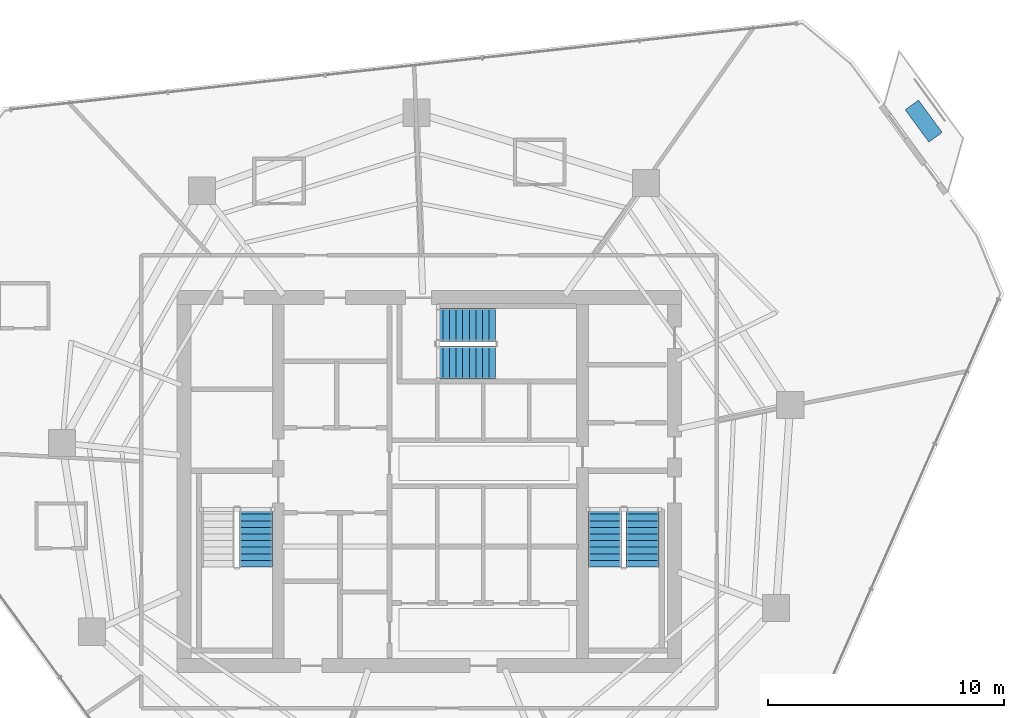
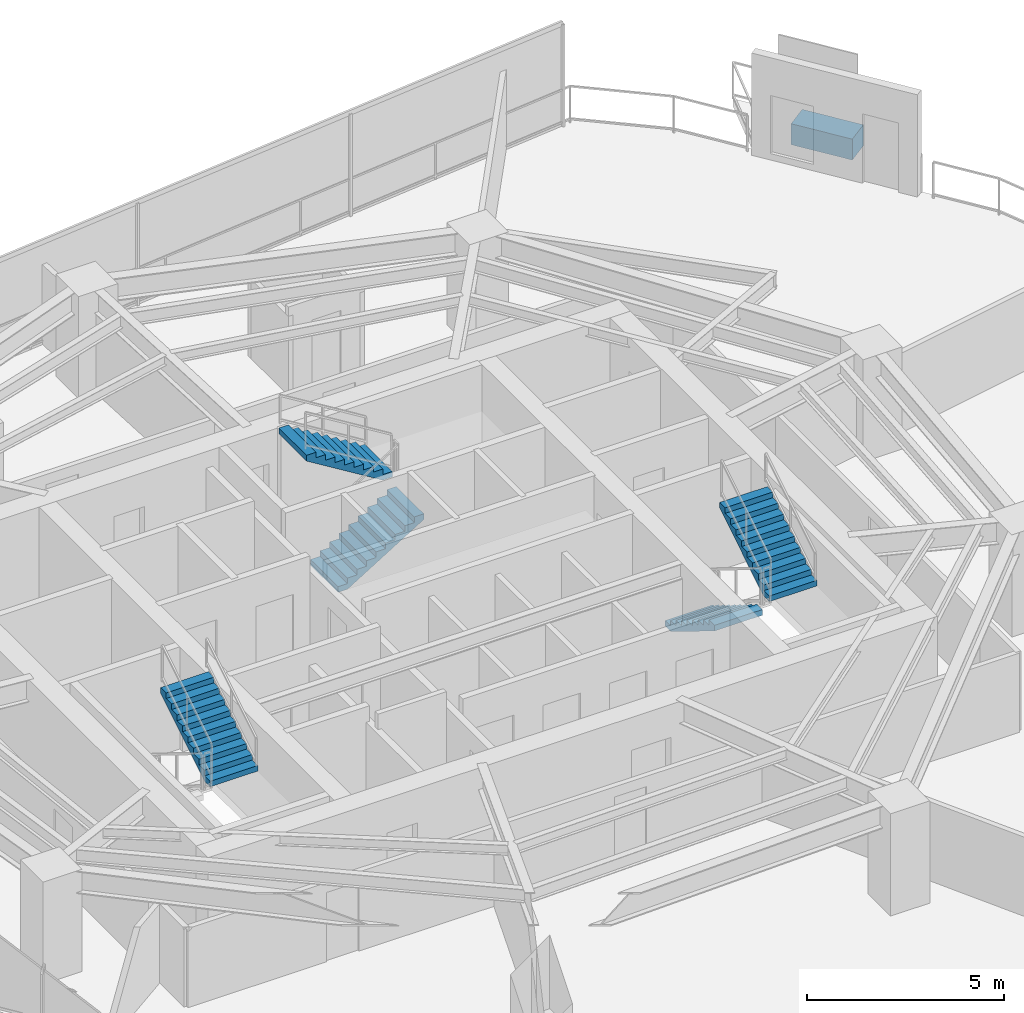
# One storey, part 27 of 30: 5 stair flights, 1 discrete accessory, 3 elements without a shape of their own.
"""IFC4 building model written with IfcOpenShell, lengths in metres."""

from ifc_helpers import new_model, si_unit, direction, frame, origin, origin_2d, place, context, subcontext, project, spatial, polyline, rectangle, outline, extrude, material, type_object, element, aggregate, save


model = new_model("IFC4")

# Units and contexts
model_context = context("Model", 3, precision=1e-05, world=origin(), true_north=direction((0.0, 1.0)))
body_context = subcontext(model_context, "Body", "Model", "MODEL_VIEW")
ifc_project = project(units=[si_unit("LENGTHUNIT", "METRE"), si_unit("AREAUNIT", "SQUARE_METRE"), si_unit("VOLUMEUNIT", "CUBIC_METRE"), si_unit("PLANEANGLEUNIT", "RADIAN"), si_unit("MASSUNIT", "GRAM", prefix="KILO")], contexts=[model_context])

# Site, building, storey
site_placement = place(None, origin())
site = spatial("IfcSite", under=ifc_project, at=site_placement, CompositionType="ELEMENT")
building_placement = place(site_placement, origin())
building = spatial("IfcBuilding", under=site, at=building_placement, Name="Qarnah Convention Tower", CompositionType="ELEMENT")
storey_placement = place(building_placement, frame((0.0, 0.0, 90.14990234375)))
storey = spatial("IfcBuildingStorey", under=building, at=storey_placement, Name="L23", CompositionType="ELEMENT", Elevation=90.14990234375)

# Stair, stair flight
ifc_material_1 = material(Name="Concrete C50/60", Category="concrete")
stair_type = type_object("IfcStairType", Name="STR-HTL", PredefinedType="HALF_TURN_STAIR", material=ifc_material_1)
stair_1_placement = place(storey_placement, origin())
stair_1 = element("IfcStair", 1, at=stair_1_placement, inside=storey, type_object=stair_type, Name="L23 Core exit stair ST-1", PredefinedType="HALF_TURN_STAIR")
stair_flight_type = type_object("IfcStairFlightType", Name="FLT-HTL", PredefinedType="STRAIGHT", material=ifc_material_1)
stair_flight_1_placement = place(storey_placement, frame((29.85009765625, 22.780029296875, 1.72509765625), z_axis=(0.0, 0.0, 1.0), x_axis=(0.0, 1.0, 0.0)))
stair_flight_1 = element("IfcStairFlight", 2, at=stair_flight_1_placement, type_object=stair_flight_type, Name="ST-1 flight 2", NumberOfRisers=10, NumberOfTreads=9, PredefinedType="STRAIGHT", RiserHeight=0.1725, TreadLength=0.28, context=body_context, shape_type="SweptSolid", body=[
    extrude(outline(polyline([(0.0, 0.0), (0.0, 0.172607421875), (0.280029296875, 0.172607421875), (0.280029296875, 0.344970703125), (0.56005859375, 0.344970703125), (0.56005859375, 0.517578125), (0.840087890625, 0.517578125), (0.840087890625, 0.68994140625), (1.1201171875, 0.68994140625), (1.1201171875, 0.862548828125), (1.39990234375, 0.862548828125), (1.39990234375, 1.034912109375), (1.679931640625, 1.034912109375), (1.679931640625, 1.20751953125), (1.9599609375, 1.20751953125), (1.9599609375, 1.3798828125), (2.239990234375, 1.3798828125), (2.239990234375, 1.552490234375), (2.52001953125, 1.552490234375), (2.52001953125, 1.72509765625), (2.52001953125, 1.37646484375), (0.285888671875, 0.0), (0.0, 0.0)])), frame((0.0, 0.699951171875, 0.0), z_axis=(0.0, -1.0, 0.0), x_axis=(1.0, 0.0, 0.0)), (0.0, 0.0, 1.0), 1.39990234375),
])
aggregate(stair_1, [stair_flight_1])

# Stair, stair flights
stair_2_placement = place(storey_placement, origin())
stair_2 = element("IfcStair", 3, at=stair_2_placement, inside=storey, type_object=stair_type, Name="L23 Core exit stair ST-2", PredefinedType="HALF_TURN_STAIR")
stair_flight_2_placement = place(storey_placement, frame((44.64990234375, 25.300048828125, 0.0), z_axis=(0.0, 0.0, 1.0), x_axis=(0.0, -1.0, 0.0)))
stair_flight_2 = element("IfcStairFlight", 4, at=stair_flight_2_placement, type_object=stair_flight_type, Name="ST-2 flight 1", NumberOfRisers=10, NumberOfTreads=9, PredefinedType="STRAIGHT", RiserHeight=0.1725, TreadLength=0.28, context=body_context, shape_type="SweptSolid", body=[
    extrude(outline(polyline([(0.0, 0.0), (0.0, 0.172607421875), (0.280029296875, 0.172607421875), (0.280029296875, 0.344970703125), (0.56005859375, 0.344970703125), (0.56005859375, 0.517578125), (0.840087890625, 0.517578125), (0.840087890625, 0.68994140625), (1.1201171875, 0.68994140625), (1.1201171875, 0.862548828125), (1.39990234375, 0.862548828125), (1.39990234375, 1.034912109375), (1.679931640625, 1.034912109375), (1.679931640625, 1.20751953125), (1.9599609375, 1.20751953125), (1.9599609375, 1.3798828125), (2.239990234375, 1.3798828125), (2.239990234375, 1.552490234375), (2.52001953125, 1.552490234375), (2.52001953125, 1.72509765625), (2.52001953125, 1.37646484375), (0.285888671875, 0.0), (0.0, 0.0)])), frame((0.0, 0.699951171875, 0.0), z_axis=(0.0, -1.0, 0.0), x_axis=(1.0, 0.0, 0.0)), (0.0, 0.0, 1.0), 1.39990234375),
])
stair_flight_3_placement = place(storey_placement, frame((46.25, 22.780029296875, 1.72509765625), z_axis=(0.0, 0.0, 1.0), x_axis=(0.0, 1.0, 0.0)))
stair_flight_3 = element("IfcStairFlight", 5, at=stair_flight_3_placement, type_object=stair_flight_type, Name="ST-2 flight 2", NumberOfRisers=10, NumberOfTreads=9, PredefinedType="STRAIGHT", RiserHeight=0.1725, TreadLength=0.28, context=body_context, shape_type="SweptSolid", body=[
    extrude(outline(polyline([(0.0, 0.0), (0.0, 0.172607421875), (0.280029296875, 0.172607421875), (0.280029296875, 0.344970703125), (0.56005859375, 0.344970703125), (0.56005859375, 0.517578125), (0.840087890625, 0.517578125), (0.840087890625, 0.68994140625), (1.1201171875, 0.68994140625), (1.1201171875, 0.862548828125), (1.39990234375, 0.862548828125), (1.39990234375, 1.034912109375), (1.679931640625, 1.034912109375), (1.679931640625, 1.20751953125), (1.9599609375, 1.20751953125), (1.9599609375, 1.3798828125), (2.239990234375, 1.3798828125), (2.239990234375, 1.552490234375), (2.52001953125, 1.552490234375), (2.52001953125, 1.72509765625), (2.52001953125, 1.37646484375), (0.285888671875, 0.0), (0.0, 0.0)])), frame((0.0, 0.699951171875, 0.0), z_axis=(0.0, -1.0, 0.0), x_axis=(1.0, 0.0, 0.0)), (0.0, 0.0, 1.0), 1.39990234375),
])
aggregate(stair_2, [stair_flight_2, stair_flight_3])

stair_3_placement = place(storey_placement, origin())
stair_3 = element("IfcStair", 6, at=stair_3_placement, inside=storey, type_object=stair_type, Name="L23 Core exit stair ST-3", PredefinedType="HALF_TURN_STAIR")
stair_flight_4_placement = place(storey_placement, frame((37.5, 31.449951171875, 0.0), z_axis=(0.0, 0.0, 1.0), x_axis=(1.0, 0.0, 0.0)))
stair_flight_4 = element("IfcStairFlight", 7, at=stair_flight_4_placement, type_object=stair_flight_type, Name="ST-3 flight 1", NumberOfRisers=10, NumberOfTreads=9, PredefinedType="STRAIGHT", RiserHeight=0.1725, TreadLength=0.28, context=body_context, shape_type="SweptSolid", body=[
    extrude(outline(polyline([(0.0, 0.0), (0.0, 0.172607421875), (0.280029296875, 0.172607421875), (0.280029296875, 0.344970703125), (0.56005859375, 0.344970703125), (0.56005859375, 0.517578125), (0.840087890625, 0.517578125), (0.840087890625, 0.68994140625), (1.1201171875, 0.68994140625), (1.1201171875, 0.862548828125), (1.39990234375, 0.862548828125), (1.39990234375, 1.034912109375), (1.679931640625, 1.034912109375), (1.679931640625, 1.20751953125), (1.9599609375, 1.20751953125), (1.9599609375, 1.3798828125), (2.239990234375, 1.3798828125), (2.239990234375, 1.552490234375), (2.52001953125, 1.552490234375), (2.52001953125, 1.72509765625), (2.52001953125, 1.37646484375), (0.285888671875, 0.0), (0.0, 0.0)])), frame((0.0, 0.699951171875, 0.0), z_axis=(0.0, -1.0, 0.0), x_axis=(1.0, 0.0, 0.0)), (0.0, 0.0, 1.0), 1.39990234375),
])
stair_flight_5_placement = place(storey_placement, frame((40.02001953125, 33.050048828125, 1.72509765625), z_axis=(0.0, 0.0, 1.0), x_axis=(-1.0, 0.0, 0.0)))
stair_flight_5 = element("IfcStairFlight", 8, at=stair_flight_5_placement, type_object=stair_flight_type, Name="ST-3 flight 2", NumberOfRisers=10, NumberOfTreads=9, PredefinedType="STRAIGHT", RiserHeight=0.1725, TreadLength=0.28, context=body_context, shape_type="SweptSolid", body=[
    extrude(outline(polyline([(0.0, 0.0), (0.0, 0.172607421875), (0.280029296875, 0.172607421875), (0.280029296875, 0.344970703125), (0.56005859375, 0.344970703125), (0.56005859375, 0.517578125), (0.840087890625, 0.517578125), (0.840087890625, 0.68994140625), (1.1201171875, 0.68994140625), (1.1201171875, 0.862548828125), (1.39990234375, 0.862548828125), (1.39990234375, 1.034912109375), (1.679931640625, 1.034912109375), (1.679931640625, 1.20751953125), (1.9599609375, 1.20751953125), (1.9599609375, 1.3798828125), (2.239990234375, 1.3798828125), (2.239990234375, 1.552490234375), (2.52001953125, 1.552490234375), (2.52001953125, 1.72509765625), (2.52001953125, 1.37646484375), (0.285888671875, 0.0), (0.0, 0.0)])), frame((0.0, 0.699951171875, 0.0), z_axis=(0.0, -1.0, 0.0), x_axis=(1.0, 0.0, 0.0)), (0.0, 0.0, 1.0), 1.39990234375),
])
aggregate(stair_3, [stair_flight_4, stair_flight_5])

# Discrete accessory
ifc_material_2 = material(Name="Precast concrete C45/55", Category="concrete")
discrete_accessory_type = type_object("IfcDiscreteAccessoryType", Name="ACC-PLANTER-900", PredefinedType="USERDEFINED", material=ifc_material_2)
discrete_accessory_placement = place(storey_placement, frame((58.166015625, 41.68603515625, 0.000244140625), z_axis=(0.0, 0.0, 1.0), x_axis=(-0.591309648364, 0.806444604267, 0.0)))
element("IfcDiscreteAccessory", 9, at=discrete_accessory_placement, inside=storey, type_object=discrete_accessory_type, Name="L23 irrigated desert balcony PLANTER BAL-L23-C1", ObjectType="PLANTER", PredefinedType="USERDEFINED", context=body_context, shape_type="SweptSolid", body=[
    extrude(rectangle(XDim=1.699951171875, YDim=0.699951171875, at=origin_2d()), origin(), (0.0, 0.0, 1.0), 0.64990234375),
])

save(model, "model.ifc")
